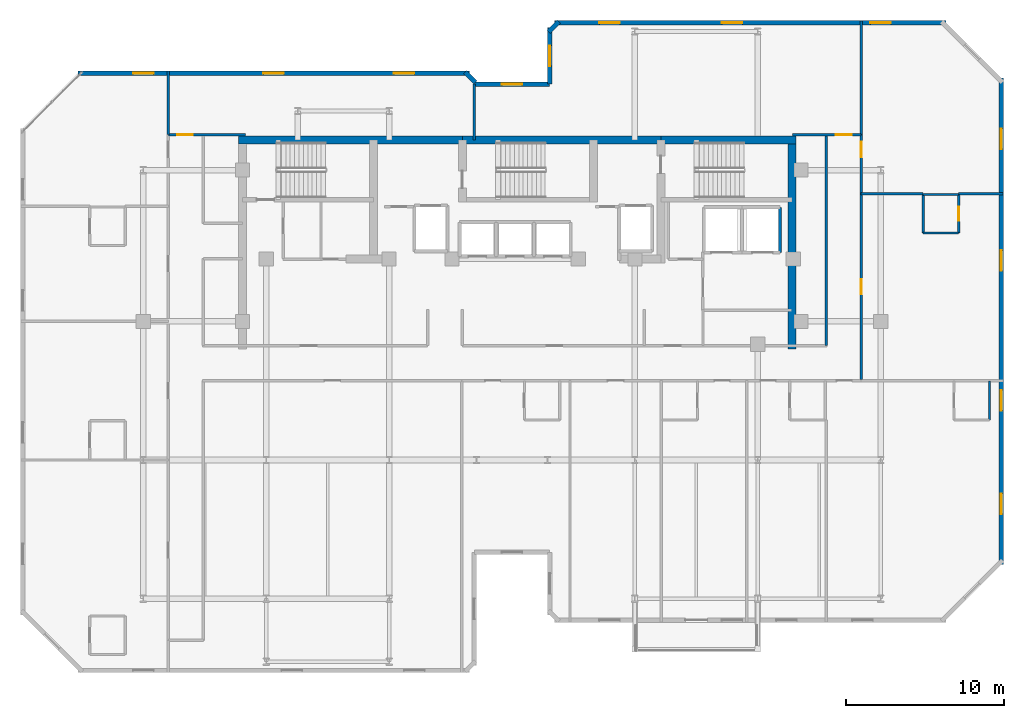
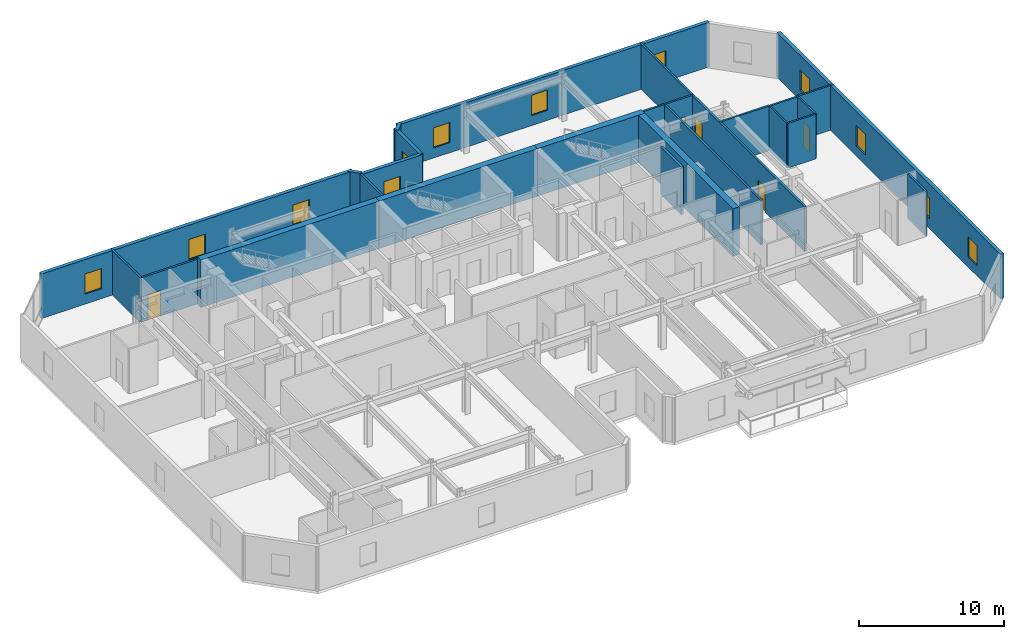
# One storey, part 7 of 11: 26 walls, 12 windows, 5 doors, 17 openings.
"""IFC4 building model written with IfcOpenShell, lengths in metres."""

from ifc_helpers import new_model, si_unit, direction, frame, frame_2d, origin, place, context, subcontext, project, spatial, rectangle, extrude, material, layer, layer_set, type_object, element, fill, save


model = new_model("IFC4")

# Units and contexts
model_context = context("Model", 3, precision=1e-05, world=origin(), true_north=direction((0.0, 1.0)))
body_context = subcontext(model_context, "Body", "Model", "MODEL_VIEW")
ifc_project = project(units=[si_unit("LENGTHUNIT", "METRE"), si_unit("AREAUNIT", "SQUARE_METRE"), si_unit("VOLUMEUNIT", "CUBIC_METRE"), si_unit("PLANEANGLEUNIT", "RADIAN"), si_unit("MASSUNIT", "GRAM", prefix="KILO")], contexts=[model_context])

# Site, building, storey
site_placement = place(None, origin())
site = spatial("IfcSite", under=ifc_project, at=site_placement, CompositionType="ELEMENT")
building_placement = place(site_placement, origin())
building = spatial("IfcBuilding", under=site, at=building_placement, Name="Kestravale Grand Hotel", CompositionType="ELEMENT")
storey_placement = place(building_placement, frame((0.0, 0.0, 249.39990234375)))
storey = spatial("IfcBuildingStorey", under=building, at=storey_placement, Name="L62", CompositionType="ELEMENT", Elevation=249.39990234375)

# Walls
ifc_material_1 = material(Name="Concrete f'c 50 MPa", Category="concrete")
ifc_layer_1 = layer(ifc_material_1, 0.5)
ifc_layer_set_1 = layer_set([ifc_layer_1], Name="EW-CORE-500")
wall_type_1 = type_object("IfcWallType", Name="EW-CORE-500", PredefinedType="SHEAR", material=ifc_layer_set_1)
wall_1_placement = place(storey_placement, frame((21.64990234375, 40.320068359375, 0.0), z_axis=(0.0, 0.0, 1.0), x_axis=(1.0, 0.0, 0.0)))
element("IfcWall", 1, at=wall_1_placement, inside=storey, type_object=wall_type_1, Name="L62 core shear wall N1", PredefinedType="SHEAR", context=body_context, shape_type="SweptSolid", body=[
    extrude(rectangle(XDim=14.2001953125, YDim=0.5, at=frame_2d((7.10009765625, 0.0))), origin(), (0.0, 0.0, 1.0), 4.0),
])
wall_2_placement = place(storey_placement, frame((35.85009765625, 40.320068359375, 0.0), z_axis=(0.0, 0.0, 1.0), x_axis=(1.0, 0.0, 0.0)))
element("IfcWall", 2, at=wall_2_placement, inside=storey, type_object=wall_type_1, Name="L62 core shear wall N2", PredefinedType="SHEAR", context=body_context, shape_type="SweptSolid", body=[
    extrude(rectangle(XDim=12.599853515625, YDim=0.5, at=frame_2d((6.2998046875, 0.0))), origin(), (0.0, 0.0, 1.0), 4.0),
])
wall_3_placement = place(storey_placement, frame((48.449951171875, 40.320068359375, 0.0), z_axis=(0.0, 0.0, 1.0), x_axis=(1.0, 0.0, 0.0)))
element("IfcWall", 3, at=wall_3_placement, inside=storey, type_object=wall_type_1, Name="L62 core shear wall N3", PredefinedType="SHEAR", context=body_context, shape_type="SweptSolid", body=[
    extrude(rectangle(XDim=8.570068359375, YDim=0.5, at=frame_2d((4.28515625, 0.0))), origin(), (0.0, 0.0, 1.0), 4.0),
])
wall_4_placement = place(storey_placement, frame((56.77001953125, 27.050048828125, 0.0), z_axis=(0.0, 0.0, 1.0), x_axis=(0.0, 1.0, 0.0)))
element("IfcWall", 4, at=wall_4_placement, inside=storey, type_object=wall_type_1, Name="L62 core shear wall E1", PredefinedType="SHEAR", context=body_context, shape_type="SweptSolid", body=[
    extrude(rectangle(XDim=13.52001953125, YDim=0.5, at=frame_2d((6.760009765625, 0.0))), origin(), (0.0, 0.0, 1.0), 4.0),
])

# Wall, openings, windows
ifc_material_2 = material(Name="Precast concrete f'c 45 MPa", Category="concrete")
ifc_layer_2 = layer(ifc_material_2, 0.280029296875)
ifc_layer_set_2 = layer_set([ifc_layer_2], Name="EW-PREC-280")
wall_type_2 = type_object("IfcWallType", Name="EW-PREC-280", PredefinedType="SOLIDWALL", material=ifc_layer_set_2)
wall_5_placement = place(storey_placement, frame((70.06005859375, 13.360107421875, 0.0), z_axis=(0.0, 0.0, 1.0), x_axis=(0.0, 1.0, 0.0)))
wall_5 = element("IfcWall", 5, at=wall_5_placement, inside=storey, type_object=wall_type_2, Name="L62 fluted precast facade wall 9", PredefinedType="SOLIDWALL", context=body_context, shape_type="SweptSolid", body=[
    extrude(rectangle(XDim=30.8798828125, YDim=0.280029296875, at=frame_2d((15.43994140625, 0.0))), origin(), (0.0, 0.0, 1.0), 3.760009765625),
])
opening_1_placement = place(wall_5_placement, frame((3.2099609375, 0.0, 0.85009765625)))
opening_1 = element("IfcOpeningElement", 6, at=opening_1_placement, cuts=wall_5, Name="Opening W-GUEST-1300", PredefinedType="OPENING", context=body_context, shape_type="SweptSolid", body=[
    extrude(rectangle(XDim=1.300048828125, YDim=1.699951171875, at=frame_2d((0.64990234375, 0.85009765625))), frame((0.0, 0.14990234375, 0.0), z_axis=(0.0, -1.0, 0.0), x_axis=(1.0, 0.0, 0.0)), (0.0, 0.0, 1.0), 0.300048828125),
])
opening_2_placement = place(wall_5_placement, frame((9.780029296875, 0.0, 0.85009765625)))
opening_2 = element("IfcOpeningElement", 7, at=opening_2_placement, cuts=wall_5, Name="Opening W-GUEST-1300", PredefinedType="OPENING", context=body_context, shape_type="SweptSolid", body=[
    extrude(rectangle(XDim=1.300048828125, YDim=1.699951171875, at=frame_2d((0.64990234375, 0.85009765625))), frame((0.0, 0.14990234375, 0.0), z_axis=(0.0, -1.0, 0.0), x_axis=(1.0, 0.0, 0.0)), (0.0, 0.0, 1.0), 0.300048828125),
])
opening_3_placement = place(wall_5_placement, frame((18.64990234375, 0.0, 0.85009765625)))
opening_3 = element("IfcOpeningElement", 8, at=opening_3_placement, cuts=wall_5, Name="Opening W-GUEST-1300", PredefinedType="OPENING", context=body_context, shape_type="SweptSolid", body=[
    extrude(rectangle(XDim=1.300048828125, YDim=1.699951171875, at=frame_2d((0.64990234375, 0.85009765625))), frame((0.0, 0.14990234375, 0.0), z_axis=(0.0, -1.0, 0.0), x_axis=(1.0, 0.0, 0.0)), (0.0, 0.0, 1.0), 0.300048828125),
])
opening_4_placement = place(wall_5_placement, frame((26.3701171875, 0.0, 0.85009765625)))
opening_4 = element("IfcOpeningElement", 9, at=opening_4_placement, cuts=wall_5, Name="Opening W-GUEST-1300", PredefinedType="OPENING", context=body_context, shape_type="SweptSolid", body=[
    extrude(rectangle(XDim=1.300048828125, YDim=1.699951171875, at=frame_2d((0.64990234375, 0.85009765625))), frame((0.0, 0.14990234375, 0.0), z_axis=(0.0, -1.0, 0.0), x_axis=(1.0, 0.0, 0.0)), (0.0, 0.0, 1.0), 0.300048828125),
])
ifc_material_3 = material(Name="Insulated low-E double glazing in aluminium frame", Category="aluminium")
window_type = type_object("IfcWindowType", Name="W-GUEST-1300", PartitioningType="SINGLE_PANEL", PredefinedType="WINDOW", material=ifc_material_3)
window_1_placement = place(opening_1_placement, origin())
window_1 = element("IfcWindow", 10, at=window_1_placement, inside=storey, type_object=window_type, Name="L62 exterior window 9.1", OverallHeight=1.699951171875, OverallWidth=1.300048828125, PartitioningType="SINGLE_PANEL", PredefinedType="WINDOW", context=body_context, shape_type="SweptSolid", body=[
    extrude(rectangle(XDim=1.300048828125, YDim=1.699951171875, at=frame_2d((0.64990234375, 0.85009765625))), frame((0.0, 0.030029296875, 0.0), z_axis=(0.0, -1.0, 0.0), x_axis=(1.0, 0.0, 0.0)), (0.0, 0.0, 1.0), 0.06005859375),
])
fill(opening_1, window_1)
window_2_placement = place(opening_2_placement, origin())
window_2 = element("IfcWindow", 11, at=window_2_placement, inside=storey, type_object=window_type, Name="L62 exterior window 9.2", OverallHeight=1.699951171875, OverallWidth=1.300048828125, PartitioningType="SINGLE_PANEL", PredefinedType="WINDOW", context=body_context, shape_type="SweptSolid", body=[
    extrude(rectangle(XDim=1.300048828125, YDim=1.699951171875, at=frame_2d((0.64990234375, 0.85009765625))), frame((0.0, 0.030029296875, 0.0), z_axis=(0.0, -1.0, 0.0), x_axis=(1.0, 0.0, 0.0)), (0.0, 0.0, 1.0), 0.06005859375),
])
fill(opening_2, window_2)
window_3_placement = place(opening_3_placement, origin())
window_3 = element("IfcWindow", 12, at=window_3_placement, inside=storey, type_object=window_type, Name="L62 exterior window 9.3", OverallHeight=1.699951171875, OverallWidth=1.300048828125, PartitioningType="SINGLE_PANEL", PredefinedType="WINDOW", context=body_context, shape_type="SweptSolid", body=[
    extrude(rectangle(XDim=1.300048828125, YDim=1.699951171875, at=frame_2d((0.64990234375, 0.85009765625))), frame((0.0, 0.030029296875, 0.0), z_axis=(0.0, -1.0, 0.0), x_axis=(1.0, 0.0, 0.0)), (0.0, 0.0, 1.0), 0.06005859375),
])
fill(opening_3, window_3)
window_4_placement = place(opening_4_placement, origin())
window_4 = element("IfcWindow", 13, at=window_4_placement, inside=storey, type_object=window_type, Name="L62 exterior window 9.4", OverallHeight=1.699951171875, OverallWidth=1.300048828125, PartitioningType="SINGLE_PANEL", PredefinedType="WINDOW", context=body_context, shape_type="SweptSolid", body=[
    extrude(rectangle(XDim=1.300048828125, YDim=1.699951171875, at=frame_2d((0.64990234375, 0.85009765625))), frame((0.0, 0.030029296875, 0.0), z_axis=(0.0, -1.0, 0.0), x_axis=(1.0, 0.0, 0.0)), (0.0, 0.0, 1.0), 0.06005859375),
])
fill(opening_4, window_4)

wall_6_placement = place(storey_placement, frame((66.5400390625, 47.760009765625, 0.0), z_axis=(0.0, 0.0, 1.0), x_axis=(-1.0, 0.0, 0.0)))
wall_6 = element("IfcWall", 14, at=wall_6_placement, inside=storey, type_object=wall_type_2, Name="L62 fluted precast facade wall 11", PredefinedType="SOLIDWALL", context=body_context, shape_type="SweptSolid", body=[
    extrude(rectangle(XDim=24.830078125, YDim=0.280029296875, at=frame_2d((12.4150390625, 0.0))), origin(), (0.0, 0.0, 1.0), 3.760009765625),
])
opening_5_placement = place(wall_6_placement, frame((3.48828125, 0.0, 0.85009765625)))
opening_5 = element("IfcOpeningElement", 15, at=opening_5_placement, cuts=wall_6, Name="Opening W-GUEST-1300", PredefinedType="OPENING", context=body_context, shape_type="SweptSolid", body=[
    extrude(rectangle(XDim=1.300048828125, YDim=1.699951171875, at=frame_2d((0.64990234375, 0.85009765625))), frame((0.0, 0.14990234375, 0.0), z_axis=(0.0, -1.0, 0.0), x_axis=(1.0, 0.0, 0.0)), (0.0, 0.0, 1.0), 0.300048828125),
])
opening_6_placement = place(wall_6_placement, frame((12.9150390625, 0.0, 0.85009765625)))
opening_6 = element("IfcOpeningElement", 16, at=opening_6_placement, cuts=wall_6, Name="Opening W-GUEST-1300", PredefinedType="OPENING", context=body_context, shape_type="SweptSolid", body=[
    extrude(rectangle(XDim=1.300048828125, YDim=1.699951171875, at=frame_2d((0.64990234375, 0.85009765625))), frame((0.0, 0.14990234375, 0.0), z_axis=(0.0, -1.0, 0.0), x_axis=(1.0, 0.0, 0.0)), (0.0, 0.0, 1.0), 0.300048828125),
])
opening_7_placement = place(wall_6_placement, frame((20.691650390625, 0.0, 0.85009765625)))
opening_7 = element("IfcOpeningElement", 17, at=opening_7_placement, cuts=wall_6, Name="Opening W-GUEST-1300", PredefinedType="OPENING", context=body_context, shape_type="SweptSolid", body=[
    extrude(rectangle(XDim=1.300048828125, YDim=1.699951171875, at=frame_2d((0.64990234375, 0.85009765625))), frame((0.0, 0.14990234375, 0.0), z_axis=(0.0, -1.0, 0.0), x_axis=(1.0, 0.0, 0.0)), (0.0, 0.0, 1.0), 0.300048828125),
])
window_5_placement = place(opening_5_placement, origin())
window_5 = element("IfcWindow", 18, at=window_5_placement, inside=storey, type_object=window_type, Name="L62 exterior window 11.1", OverallHeight=1.699951171875, OverallWidth=1.300048828125, PartitioningType="SINGLE_PANEL", PredefinedType="WINDOW", context=body_context, shape_type="SweptSolid", body=[
    extrude(rectangle(XDim=1.300048828125, YDim=1.699951171875, at=frame_2d((0.64990234375, 0.85009765625))), frame((0.0, 0.030029296875, 0.0), z_axis=(0.0, -1.0, 0.0), x_axis=(1.0, 0.0, 0.0)), (0.0, 0.0, 1.0), 0.06005859375),
])
fill(opening_5, window_5)
window_6_placement = place(opening_6_placement, origin())
window_6 = element("IfcWindow", 19, at=window_6_placement, inside=storey, type_object=window_type, Name="L62 exterior window 11.2", OverallHeight=1.699951171875, OverallWidth=1.300048828125, PartitioningType="SINGLE_PANEL", PredefinedType="WINDOW", context=body_context, shape_type="SweptSolid", body=[
    extrude(rectangle(XDim=1.300048828125, YDim=1.699951171875, at=frame_2d((0.64990234375, 0.85009765625))), frame((0.0, 0.030029296875, 0.0), z_axis=(0.0, -1.0, 0.0), x_axis=(1.0, 0.0, 0.0)), (0.0, 0.0, 1.0), 0.06005859375),
])
fill(opening_6, window_6)
window_7_placement = place(opening_7_placement, origin())
window_7 = element("IfcWindow", 20, at=window_7_placement, inside=storey, type_object=window_type, Name="L62 exterior window 11.3", OverallHeight=1.699951171875, OverallWidth=1.300048828125, PartitioningType="SINGLE_PANEL", PredefinedType="WINDOW", context=body_context, shape_type="SweptSolid", body=[
    extrude(rectangle(XDim=1.300048828125, YDim=1.699951171875, at=frame_2d((0.64990234375, 0.85009765625))), frame((0.0, 0.030029296875, 0.0), z_axis=(0.0, -1.0, 0.0), x_axis=(1.0, 0.0, 0.0)), (0.0, 0.0, 1.0), 0.06005859375),
])
fill(opening_7, window_7)

# Wall
wall_7_placement = place(storey_placement, frame((41.977294921875, 47.829345703125, 0.0), z_axis=(0.0, 0.0, 1.0), x_axis=(-0.706975312048, -0.707238225886, 0.0)))
element("IfcWall", 21, at=wall_7_placement, inside=storey, type_object=wall_type_2, Name="L62 fluted precast facade wall 12", PredefinedType="SOLIDWALL", context=body_context, shape_type="SweptSolid", body=[
    extrude(rectangle(XDim=0.9287109375, YDim=0.280029296875, at=frame_2d((0.46435546875, 0.0))), origin(), (0.0, 0.0, 1.0), 3.760009765625),
])

# Wall, opening, window
wall_8_placement = place(storey_placement, frame((41.389892578125, 47.43994140625, 0.0), z_axis=(0.0, 0.0, 1.0), x_axis=(0.0, -1.0, 0.0)))
wall_8 = element("IfcWall", 22, at=wall_8_placement, inside=storey, type_object=wall_type_2, Name="L62 fluted precast facade wall 13", PredefinedType="SOLIDWALL", context=body_context, shape_type="SweptSolid", body=[
    extrude(rectangle(XDim=3.579833984375, YDim=0.280029296875, at=frame_2d((1.7900390625, 0.0))), origin(), (0.0, 0.0, 1.0), 3.760009765625),
])
opening_8_placement = place(wall_8_placement, frame((1.139892578125, 0.0, 0.85009765625)))
opening_8 = element("IfcOpeningElement", 23, at=opening_8_placement, cuts=wall_8, Name="Opening W-GUEST-1300", PredefinedType="OPENING", context=body_context, shape_type="SweptSolid", body=[
    extrude(rectangle(XDim=1.300048828125, YDim=1.699951171875, at=frame_2d((0.64990234375, 0.85009765625))), frame((0.0, 0.14990234375, 0.0), z_axis=(0.0, -1.0, 0.0), x_axis=(1.0, 0.0, 0.0)), (0.0, 0.0, 1.0), 0.300048828125),
])
window_8_placement = place(opening_8_placement, origin())
window_8 = element("IfcWindow", 24, at=window_8_placement, inside=storey, type_object=window_type, Name="L62 exterior window 13.1", OverallHeight=1.699951171875, OverallWidth=1.300048828125, PartitioningType="SINGLE_PANEL", PredefinedType="WINDOW", context=body_context, shape_type="SweptSolid", body=[
    extrude(rectangle(XDim=1.300048828125, YDim=1.699951171875, at=frame_2d((0.64990234375, 0.85009765625))), frame((0.0, 0.030029296875, 0.0), z_axis=(0.0, -1.0, 0.0), x_axis=(1.0, 0.0, 0.0)), (0.0, 0.0, 1.0), 0.06005859375),
])
fill(opening_8, window_8)

wall_9_placement = place(storey_placement, frame((41.389892578125, 43.860107421875, 0.0), z_axis=(0.0, 0.0, 1.0), x_axis=(-1.0, 0.0, 0.0)))
wall_9 = element("IfcWall", 25, at=wall_9_placement, inside=storey, type_object=wall_type_2, Name="L62 fluted precast facade wall 14", PredefinedType="SOLIDWALL", context=body_context, shape_type="SweptSolid", body=[
    extrude(rectangle(XDim=4.77978515625, YDim=0.280029296875, at=frame_2d((2.389892578125, 0.0))), origin(), (0.0, 0.0, 1.0), 3.760009765625),
])
opening_9_placement = place(wall_9_placement, frame((1.739990234375, 0.0, 0.85009765625)))
opening_9 = element("IfcOpeningElement", 26, at=opening_9_placement, cuts=wall_9, Name="Opening W-GUEST-1300", PredefinedType="OPENING", context=body_context, shape_type="SweptSolid", body=[
    extrude(rectangle(XDim=1.300048828125, YDim=1.699951171875, at=frame_2d((0.64990234375, 0.85009765625))), frame((0.0, 0.14990234375, 0.0), z_axis=(0.0, -1.0, 0.0), x_axis=(1.0, 0.0, 0.0)), (0.0, 0.0, 1.0), 0.300048828125),
])
window_9_placement = place(opening_9_placement, origin())
window_9 = element("IfcWindow", 27, at=window_9_placement, inside=storey, type_object=window_type, Name="L62 exterior window 14.1", OverallHeight=1.699951171875, OverallWidth=1.300048828125, PartitioningType="SINGLE_PANEL", PredefinedType="WINDOW", context=body_context, shape_type="SweptSolid", body=[
    extrude(rectangle(XDim=1.300048828125, YDim=1.699951171875, at=frame_2d((0.64990234375, 0.85009765625))), frame((0.0, 0.030029296875, 0.0), z_axis=(0.0, -1.0, 0.0), x_axis=(1.0, 0.0, 0.0)), (0.0, 0.0, 1.0), 0.06005859375),
])
fill(opening_9, window_9)

# Wall
wall_10_placement = place(storey_placement, frame((36.67919921875, 43.97265625, 0.0), z_axis=(0.0, 0.0, 1.0), x_axis=(-0.706975312048, 0.707238225886, 0.0)))
element("IfcWall", 28, at=wall_10_placement, inside=storey, type_object=wall_type_2, Name="L62 fluted precast facade wall 16", PredefinedType="SOLIDWALL", context=body_context, shape_type="SweptSolid", body=[
    extrude(rectangle(XDim=0.9287109375, YDim=0.280029296875, at=frame_2d((0.46435546875, 0.0))), origin(), (0.0, 0.0, 1.0), 3.760009765625),
])

# Wall, openings, windows
wall_11_placement = place(storey_placement, frame((36.2900390625, 44.56005859375, 0.0), z_axis=(0.0, 0.0, 1.0), x_axis=(-1.0, 0.0, 0.0)))
wall_11 = element("IfcWall", 29, at=wall_11_placement, inside=storey, type_object=wall_type_2, Name="L62 fluted precast facade wall 17", PredefinedType="SOLIDWALL", context=body_context, shape_type="SweptSolid", body=[
    extrude(rectangle(XDim=24.830078125, YDim=0.280029296875, at=frame_2d((12.4150390625, 0.0))), origin(), (0.0, 0.0, 1.0), 3.760009765625),
])
opening_10_placement = place(wall_11_placement, frame((3.48828125, 0.0, 0.85009765625)))
opening_10 = element("IfcOpeningElement", 30, at=opening_10_placement, cuts=wall_11, Name="Opening W-GUEST-1300", PredefinedType="OPENING", context=body_context, shape_type="SweptSolid", body=[
    extrude(rectangle(XDim=1.300048828125, YDim=1.699951171875, at=frame_2d((0.64990234375, 0.85009765625))), frame((0.0, 0.14990234375, 0.0), z_axis=(0.0, -1.0, 0.0), x_axis=(1.0, 0.0, 0.0)), (0.0, 0.0, 1.0), 0.300048828125),
])
opening_11_placement = place(wall_11_placement, frame((11.764892578125, 0.0, 0.85009765625)))
opening_11 = element("IfcOpeningElement", 31, at=opening_11_placement, cuts=wall_11, Name="Opening W-GUEST-1300", PredefinedType="OPENING", context=body_context, shape_type="SweptSolid", body=[
    extrude(rectangle(XDim=1.300048828125, YDim=1.699951171875, at=frame_2d((0.64990234375, 0.85009765625))), frame((0.0, 0.14990234375, 0.0), z_axis=(0.0, -1.0, 0.0), x_axis=(1.0, 0.0, 0.0)), (0.0, 0.0, 1.0), 0.300048828125),
])
opening_12_placement = place(wall_11_placement, frame((20.041748046875, 0.0, 0.85009765625)))
opening_12 = element("IfcOpeningElement", 32, at=opening_12_placement, cuts=wall_11, Name="Opening W-GUEST-1300", PredefinedType="OPENING", context=body_context, shape_type="SweptSolid", body=[
    extrude(rectangle(XDim=1.300048828125, YDim=1.699951171875, at=frame_2d((0.64990234375, 0.85009765625))), frame((0.0, 0.14990234375, 0.0), z_axis=(0.0, -1.0, 0.0), x_axis=(1.0, 0.0, 0.0)), (0.0, 0.0, 1.0), 0.300048828125),
])
window_10_placement = place(opening_10_placement, origin())
window_10 = element("IfcWindow", 33, at=window_10_placement, inside=storey, type_object=window_type, Name="L62 exterior window 17.1", OverallHeight=1.699951171875, OverallWidth=1.300048828125, PartitioningType="SINGLE_PANEL", PredefinedType="WINDOW", context=body_context, shape_type="SweptSolid", body=[
    extrude(rectangle(XDim=1.300048828125, YDim=1.699951171875, at=frame_2d((0.64990234375, 0.85009765625))), frame((0.0, 0.030029296875, 0.0), z_axis=(0.0, -1.0, 0.0), x_axis=(1.0, 0.0, 0.0)), (0.0, 0.0, 1.0), 0.06005859375),
])
fill(opening_10, window_10)
window_11_placement = place(opening_11_placement, origin())
window_11 = element("IfcWindow", 34, at=window_11_placement, inside=storey, type_object=window_type, Name="L62 exterior window 17.2", OverallHeight=1.699951171875, OverallWidth=1.300048828125, PartitioningType="SINGLE_PANEL", PredefinedType="WINDOW", context=body_context, shape_type="SweptSolid", body=[
    extrude(rectangle(XDim=1.300048828125, YDim=1.699951171875, at=frame_2d((0.64990234375, 0.85009765625))), frame((0.0, 0.030029296875, 0.0), z_axis=(0.0, -1.0, 0.0), x_axis=(1.0, 0.0, 0.0)), (0.0, 0.0, 1.0), 0.06005859375),
])
fill(opening_11, window_11)
window_12_placement = place(opening_12_placement, origin())
window_12 = element("IfcWindow", 35, at=window_12_placement, inside=storey, type_object=window_type, Name="L62 exterior window 17.3", OverallHeight=1.699951171875, OverallWidth=1.300048828125, PartitioningType="SINGLE_PANEL", PredefinedType="WINDOW", context=body_context, shape_type="SweptSolid", body=[
    extrude(rectangle(XDim=1.300048828125, YDim=1.699951171875, at=frame_2d((0.64990234375, 0.85009765625))), frame((0.0, 0.030029296875, 0.0), z_axis=(0.0, -1.0, 0.0), x_axis=(1.0, 0.0, 0.0)), (0.0, 0.0, 1.0), 0.06005859375),
])
fill(opening_12, window_12)

# Wall, openings, doors
ifc_material_4 = material(Name="Acoustic fire-rated gypsum board partition", Category="other")
ifc_layer_3 = layer(ifc_material_4, 0.159912109375)
ifc_layer_set_3 = layer_set([ifc_layer_3], Name="IW-CORR-160")
wall_type_3 = type_object("IfcWallType", Name="IW-CORR-160", PredefinedType="PARTITIONING", material=ifc_layer_set_3)
wall_12_placement = place(storey_placement, frame((61.159912109375, 25.10009765625, 0.0), z_axis=(0.0, 0.0, 1.0), x_axis=(0.0, 1.0, 0.0)))
wall_12 = element("IfcWall", 36, at=wall_12_placement, inside=storey, type_object=wall_type_3, Name="W-L62-SE-E", PredefinedType="PARTITIONING", context=body_context, shape_type="SweptSolid", body=[
    extrude(rectangle(XDim=15.5498046875, YDim=0.159912109375, at=frame_2d((7.77490234375, 0.0))), origin(), (0.0, 0.0, 1.0), 3.760009765625),
])
opening_13_placement = place(wall_12_placement, frame((5.425048828125, 0.0, 0.0)))
opening_13 = element("IfcOpeningElement", 37, at=opening_13_placement, cuts=wall_12, Name="Opening D-GUEST-950", PredefinedType="OPENING", context=body_context, shape_type="SweptSolid", body=[
    extrude(rectangle(XDim=0.949951171875, YDim=2.10009765625, at=frame_2d((0.47509765625, 1.050048828125))), frame((0.0, 0.08984375, 0.0), z_axis=(0.0, -1.0, 0.0), x_axis=(1.0, 0.0, 0.0)), (0.0, 0.0, 1.0), 0.179931640625),
])
opening_14_placement = place(wall_12_placement, frame((14.110107421875, 0.0, 0.0)))
opening_14 = element("IfcOpeningElement", 38, at=opening_14_placement, cuts=wall_12, Name="Opening D-GUEST-1000", PredefinedType="OPENING", context=body_context, shape_type="SweptSolid", body=[
    extrude(rectangle(XDim=1.0, YDim=2.14990234375, at=frame_2d((0.5, 1.074951171875))), frame((0.0, 0.08984375, 0.0), z_axis=(0.0, -1.0, 0.0), x_axis=(1.0, 0.0, 0.0)), (0.0, 0.0, 1.0), 0.179931640625),
])
ifc_material_5 = material(Name="Accessible walnut veneer hotel entrance fire door", Category="wood")
door_type_1 = type_object("IfcDoorType", Name="D-GUEST-1000", OperationType="NOTDEFINED", PredefinedType="DOOR", material=ifc_material_5)
door_1_placement = place(opening_14_placement, origin())
door_1 = element("IfcDoor", 39, at=door_1_placement, inside=storey, type_object=door_type_1, Name="D-L62-AMEW", OperationType="SINGLE_SWING_LEFT", OverallHeight=2.14990234375, OverallWidth=1.0, PredefinedType="DOOR", context=body_context, shape_type="SweptSolid", body=[
    extrude(rectangle(XDim=1.0, YDim=2.14990234375, at=frame_2d((0.5, 1.074951171875))), frame((0.0, 0.02490234375, 0.0), z_axis=(0.0, -1.0, 0.0), x_axis=(1.0, 0.0, 0.0)), (0.0, 0.0, 1.0), 0.050048828125),
])
fill(opening_14, door_1)
ifc_material_6 = material(Name="Walnut veneer hotel guestroom entrance fire door", Category="wood")
door_type_2 = type_object("IfcDoorType", Name="D-GUEST-950", OperationType="NOTDEFINED", PredefinedType="DOOR", material=ifc_material_6)
door_2_placement = place(opening_13_placement, origin())
door_2 = element("IfcDoor", 40, at=door_2_placement, inside=storey, type_object=door_type_2, Name="D-L62-U08-ENT", OperationType="SINGLE_SWING_RIGHT", OverallHeight=2.10009765625, OverallWidth=0.949951171875, PredefinedType="DOOR", context=body_context, shape_type="SweptSolid", body=[
    extrude(rectangle(XDim=0.949951171875, YDim=2.10009765625, at=frame_2d((0.47509765625, 1.050048828125))), frame((0.0, 0.02490234375, 0.0), z_axis=(0.0, -1.0, 0.0), x_axis=(1.0, 0.0, 0.0)), (0.0, 0.0, 1.0), 0.050048828125),
])
fill(opening_13, door_2)

# Walls
wall_13_placement = place(storey_placement, frame((58.93994140625, 27.260009765625, 0.0), z_axis=(0.0, 0.0, 1.0), x_axis=(0.0, 1.0, 0.0)))
element("IfcWall", 41, at=wall_13_placement, inside=storey, type_object=wall_type_3, Name="W-L62-SE-WU", PredefinedType="PARTITIONING", context=body_context, shape_type="SweptSolid", body=[
    extrude(rectangle(XDim=13.389892578125, YDim=0.159912109375, at=frame_2d((6.69482421875, 0.0))), origin(), (0.0, 0.0, 1.0), 3.760009765625),
])
ifc_material_7 = material(Name="Moisture-resistant tile-backer plumbing chase wall", Category="other")
ifc_layer_4 = layer(ifc_material_7, 0.139892578125)
ifc_layer_set_4 = layer_set([ifc_layer_4], Name="IW-PLB-140")
wall_type_4 = type_object("IfcWallType", Name="IW-PLB-140", PredefinedType="PLUMBINGWALL", material=ifc_layer_set_4)
wall_14_placement = place(storey_placement, frame((69.300048828125, 22.530029296875, 0.0), z_axis=(0.0, 0.0, 1.0), x_axis=(0.0, 1.0, 0.0)))
element("IfcWall", 42, at=wall_14_placement, inside=storey, type_object=wall_type_4, Name="W-L62-U07-BE", PredefinedType="PLUMBINGWALL", context=body_context, shape_type="SweptSolid", body=[
    extrude(rectangle(XDim=2.489990234375, YDim=0.139892578125, at=frame_2d((1.2451171875, 0.0))), origin(), (0.0, 0.0, 1.0), 3.760009765625),
])
wall_15_placement = place(storey_placement, frame((65.10009765625, 34.409912109375, 0.0), z_axis=(0.0, 0.0, 1.0), x_axis=(0.0, 1.0, 0.0)))
element("IfcWall", 43, at=wall_15_placement, inside=storey, type_object=wall_type_4, Name="W-L62-U08-BW", PredefinedType="PLUMBINGWALL", context=body_context, shape_type="SweptSolid", body=[
    extrude(rectangle(XDim=2.4501953125, YDim=0.139892578125, at=frame_2d((1.22509765625, 0.0))), origin(), (0.0, 0.0, 1.0), 3.760009765625),
])

# Wall, opening, door
wall_16_placement = place(storey_placement, frame((67.35009765625, 34.409912109375, 0.0), z_axis=(0.0, 0.0, 1.0), x_axis=(0.0, 1.0, 0.0)))
wall_16 = element("IfcWall", 44, at=wall_16_placement, inside=storey, type_object=wall_type_4, Name="W-L62-U08-BE", PredefinedType="PLUMBINGWALL", context=body_context, shape_type="SweptSolid", body=[
    extrude(rectangle(XDim=2.4501953125, YDim=0.139892578125, at=frame_2d((1.22509765625, 0.0))), origin(), (0.0, 0.0, 1.0), 3.760009765625),
])
opening_15_placement = place(wall_16_placement, frame((0.784912109375, 0.0, 0.0)))
opening_15 = element("IfcOpeningElement", 45, at=opening_15_placement, cuts=wall_16, Name="Opening D-BATH-880", PredefinedType="OPENING", context=body_context, shape_type="SweptSolid", body=[
    extrude(rectangle(XDim=0.8798828125, YDim=2.050048828125, at=frame_2d((0.43994140625, 1.02490234375))), frame((0.0, 0.079833984375, 0.0), z_axis=(0.0, -1.0, 0.0), x_axis=(1.0, 0.0, 0.0)), (0.0, 0.0, 1.0), 0.159912109375),
])
ifc_material_8 = material(Name="Moisture-sealed walnut en-suite bathroom door", Category="wood")
door_type_3 = type_object("IfcDoorType", Name="D-BATH-880", OperationType="NOTDEFINED", PredefinedType="DOOR", material=ifc_material_8)
door_3_placement = place(opening_15_placement, origin())
door_3 = element("IfcDoor", 46, at=door_3_placement, inside=storey, type_object=door_type_3, Name="D-L62-U08-BATH", OperationType="SINGLE_SWING_LEFT", OverallHeight=2.050048828125, OverallWidth=0.8798828125, PredefinedType="DOOR", context=body_context, shape_type="SweptSolid", body=[
    extrude(rectangle(XDim=0.8798828125, YDim=2.050048828125, at=frame_2d((0.43994140625, 1.02490234375))), frame((0.0, 0.02490234375, 0.0), z_axis=(0.0, -1.0, 0.0), x_axis=(1.0, 0.0, 0.0)), (0.0, 0.0, 1.0), 0.050048828125),
])
fill(opening_15, door_3)

# Walls
for number, where, z_axis, x_axis, name in (
    (47, (65.10009765625, 34.409912109375, 0.0), (0.0, 0.0, 1.0), (1.0, 0.0, 0.0), "W-L62-U08-BS"),
    (48, (65.10009765625, 36.860107421875, 0.0), (0.0, 0.0, 1.0), (1.0, 0.0, 0.0), "W-L62-U08-BN"),
):
    element("IfcWall", number, at=place(storey_placement, frame(where, z_axis=z_axis, x_axis=x_axis)), inside=storey, type_object=wall_type_4, Name=name, PredefinedType="PLUMBINGWALL", context=body_context, shape_type="SweptSolid", body=[
        extrude(rectangle(XDim=2.25, YDim=0.139892578125, at=frame_2d((1.125, 0.0))), origin(), (0.0, 0.0, 1.0), 3.760009765625),
    ])
ifc_material_9 = material(Name="Concrete f'c 45 MPa", Category="concrete")
ifc_layer_5 = layer(ifc_material_9, 0.199951171875)
ifc_layer_set_5 = layer_set([ifc_layer_5], Name="IW-SHAFT-200")
wall_type_5 = type_object("IfcWallType", Name="IW-SHAFT-200", PredefinedType="SHEAR", material=ifc_layer_set_5)
wall_17_placement = place(storey_placement, frame((56.02001953125, 33.169921875, 0.0), z_axis=(0.0, 0.0, 1.0), x_axis=(0.0, 1.0, 0.0)))
element("IfcWall", 49, at=wall_17_placement, inside=storey, type_object=wall_type_5, Name="L62 SL-2 east shaft wall", PredefinedType="SHEAR", context=body_context, shape_type="SweptSolid", body=[
    extrude(rectangle(XDim=2.860107421875, YDim=0.199951171875, at=frame_2d((1.43017578125, 0.0))), origin(), (0.0, 0.0, 1.0), 4.0),
])

# Wall, opening, door
ifc_material_10 = material(Name="Double-stud STC 52 acoustic demising partition", Category="other")
ifc_layer_6 = layer(ifc_material_10, 0.14990234375)
ifc_layer_set_6 = layer_set([ifc_layer_6], Name="IW-UNIT-150")
wall_type_6 = type_object("IfcWallType", Name="IW-UNIT-150", PredefinedType="PARTITIONING", material=ifc_layer_set_6)
wall_18_placement = place(storey_placement, frame((17.18994140625, 40.64990234375, 0.0), z_axis=(0.0, 0.0, 1.0), x_axis=(1.0, 0.0, 0.0)))
wall_18 = element("IfcWall", 50, at=wall_18_placement, inside=storey, type_object=wall_type_6, Name="W-L62-SW-N", PredefinedType="PARTITIONING", context=body_context, shape_type="SweptSolid", body=[
    extrude(rectangle(XDim=4.91015625, YDim=0.14990234375, at=frame_2d((2.455078125, 0.0))), origin(), (0.0, 0.0, 1.0), 3.760009765625),
])
opening_16_placement = place(wall_18_placement, frame((0.550048828125, 0.0, 0.0)))
opening_16 = element("IfcOpeningElement", 51, at=opening_16_placement, cuts=wall_18, Name="Opening D-GUEST-1000", PredefinedType="OPENING", context=body_context, shape_type="SweptSolid", body=[
    extrude(rectangle(XDim=1.0, YDim=2.14990234375, at=frame_2d((0.5, 1.074951171875))), frame((0.0, 0.0849609375, 0.0), z_axis=(0.0, -1.0, 0.0), x_axis=(1.0, 0.0, 0.0)), (0.0, 0.0, 1.0), 0.169921875),
])
door_4_placement = place(opening_16_placement, origin())
door_4 = element("IfcDoor", 52, at=door_4_placement, inside=storey, type_object=door_type_1, Name="L62 NW Gallery Door", OperationType="SINGLE_SWING_RIGHT", OverallHeight=2.14990234375, OverallWidth=1.0, PredefinedType="DOOR", context=body_context, shape_type="SweptSolid", body=[
    extrude(rectangle(XDim=1.0, YDim=2.14990234375, at=frame_2d((0.5, 1.074951171875))), frame((0.0, 0.02490234375, 0.0), z_axis=(0.0, -1.0, 0.0), x_axis=(1.0, 0.0, 0.0)), (0.0, 0.0, 1.0), 0.050048828125),
])
fill(opening_16, door_4)

wall_19_placement = place(storey_placement, frame((56.800048828125, 40.64990234375, 0.0), z_axis=(0.0, 0.0, 1.0), x_axis=(1.0, 0.0, 0.0)))
wall_19 = element("IfcWall", 53, at=wall_19_placement, inside=storey, type_object=wall_type_6, Name="W-L62-SE-N", PredefinedType="PARTITIONING", context=body_context, shape_type="SweptSolid", body=[
    extrude(rectangle(XDim=4.35986328125, YDim=0.14990234375, at=frame_2d((2.179931640625, 0.0))), origin(), (0.0, 0.0, 1.0), 3.760009765625),
])
opening_17_placement = place(wall_19_placement, frame((2.75, 0.0, 0.0)))
opening_17 = element("IfcOpeningElement", 54, at=opening_17_placement, cuts=wall_19, Name="Opening D-GUEST-1000", PredefinedType="OPENING", context=body_context, shape_type="SweptSolid", body=[
    extrude(rectangle(XDim=1.0, YDim=2.14990234375, at=frame_2d((0.5, 1.074951171875))), frame((0.0, 0.0849609375, 0.0), z_axis=(0.0, -1.0, 0.0), x_axis=(1.0, 0.0, 0.0)), (0.0, 0.0, 1.0), 0.169921875),
])
door_5_placement = place(opening_17_placement, origin())
door_5 = element("IfcDoor", 55, at=door_5_placement, inside=storey, type_object=door_type_1, Name="L62 NE Gallery Door", OperationType="SINGLE_SWING_LEFT", OverallHeight=2.14990234375, OverallWidth=1.0, PredefinedType="DOOR", context=body_context, shape_type="SweptSolid", body=[
    extrude(rectangle(XDim=1.0, YDim=2.14990234375, at=frame_2d((0.5, 1.074951171875))), frame((0.0, 0.02490234375, 0.0), z_axis=(0.0, -1.0, 0.0), x_axis=(1.0, 0.0, 0.0)), (0.0, 0.0, 1.0), 0.050048828125),
])
fill(opening_17, door_5)

# Walls
wall_20_placement = place(storey_placement, frame((17.18994140625, 40.64990234375, 0.0), z_axis=(0.0, 0.0, 1.0), x_axis=(0.0, 1.0, 0.0)))
element("IfcWall", 56, at=wall_20_placement, inside=storey, type_object=wall_type_6, Name="W-L62-NGW-W", PredefinedType="PARTITIONING", context=body_context, shape_type="SweptSolid", body=[
    extrude(rectangle(XDim=4.030029296875, YDim=0.14990234375, at=frame_2d((2.01513671875, 0.0))), origin(), (0.0, 0.0, 1.0), 3.760009765625),
])
wall_21_placement = place(storey_placement, frame((36.60009765625, 40.320068359375, 0.0), z_axis=(0.0, 0.0, 1.0), x_axis=(0.0, 1.0, 0.0)))
element("IfcWall", 57, at=wall_21_placement, inside=storey, type_object=wall_type_6, Name="W-L62-NGM", PredefinedType="PARTITIONING", context=body_context, shape_type="SweptSolid", body=[
    extrude(rectangle(XDim=3.544921875, YDim=0.14990234375, at=frame_2d((1.7724609375, 0.0))), origin(), (0.0, 0.0, 1.0), 3.760009765625),
])
wall_22_placement = place(storey_placement, frame((61.159912109375, 40.64990234375, 0.0), z_axis=(0.0, 0.0, 1.0), x_axis=(0.0, 1.0, 0.0)))
element("IfcWall", 58, at=wall_22_placement, inside=storey, type_object=wall_type_6, Name="W-L62-NGE-E", PredefinedType="PARTITIONING", context=body_context, shape_type="SweptSolid", body=[
    extrude(rectangle(XDim=7.22998046875, YDim=0.14990234375, at=frame_2d((3.614990234375, 0.0))), origin(), (0.0, 0.0, 1.0), 3.760009765625),
])
wall_23_placement = place(storey_placement, frame((61.159912109375, 36.89990234375, 0.0), z_axis=(0.0, 0.0, 1.0), x_axis=(1.0, 0.0, 0.0)))
element("IfcWall", 59, at=wall_23_placement, inside=storey, type_object=wall_type_6, Name="W-L62-EW-1", PredefinedType="PARTITIONING", context=body_context, shape_type="SweptSolid", body=[
    extrude(rectangle(XDim=3.940185546875, YDim=0.14990234375, at=frame_2d((1.97021484375, 0.0))), origin(), (0.0, 0.0, 1.0), 3.760009765625),
])
wall_24_placement = place(storey_placement, frame((67.35009765625, 36.89990234375, 0.0), z_axis=(0.0, 0.0, 1.0), x_axis=(1.0, 0.0, 0.0)))
element("IfcWall", 60, at=wall_24_placement, inside=storey, type_object=wall_type_6, Name="W-L62-EW-1", PredefinedType="PARTITIONING", context=body_context, shape_type="SweptSolid", body=[
    extrude(rectangle(XDim=2.829833984375, YDim=0.14990234375, at=frame_2d((1.4150390625, 0.0))), origin(), (0.0, 0.0, 1.0), 3.760009765625),
])

save(model, "model.ifc")
